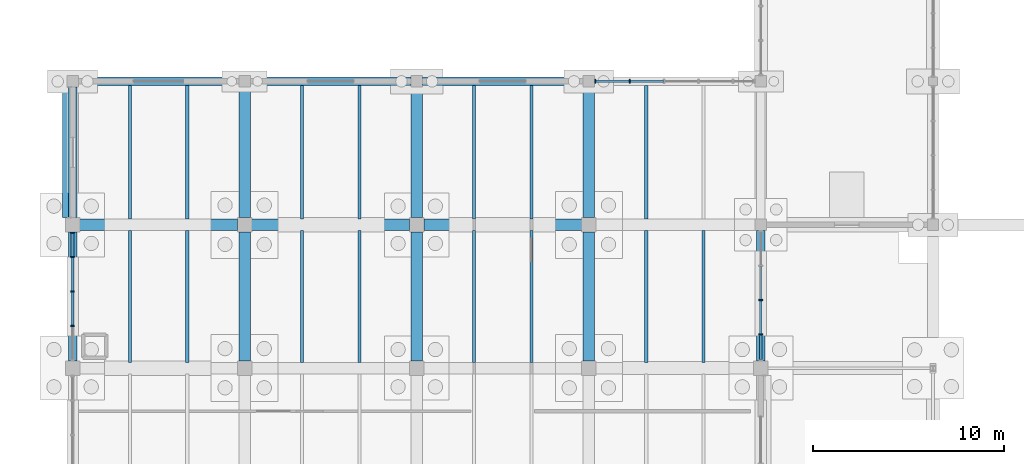
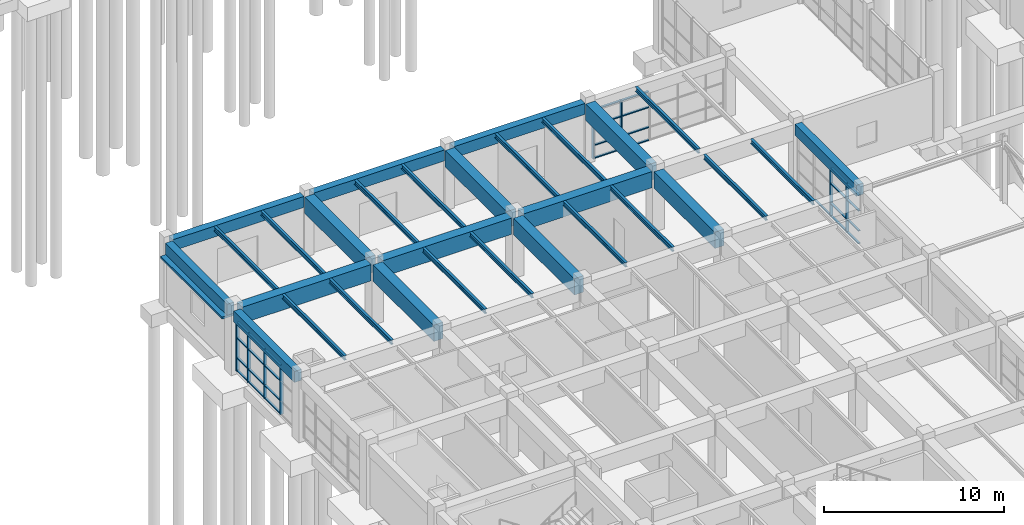
# One storey, part 19 of 93: 38 members, 30 beams, 3 elements without a shape of their own.
"""IFC4 building model written with IfcOpenShell, lengths in metres."""

from ifc_helpers import new_model, si_unit, direction, frame, origin, origin_2d, place, context, subcontext, project, spatial, rectangle, i_section, extrude, material, layer, layer_set, material_profile, profile_set, type_object, element, aggregate, save


model = new_model("IFC4")

# Units and contexts
model_context = context("Model", 3, precision=1e-05, world=origin(), true_north=direction((0.0, 1.0)))
body_context = subcontext(model_context, "Body", "Model", "MODEL_VIEW")
ifc_project = project(units=[si_unit("LENGTHUNIT", "METRE"), si_unit("AREAUNIT", "SQUARE_METRE"), si_unit("VOLUMEUNIT", "CUBIC_METRE"), si_unit("PLANEANGLEUNIT", "RADIAN"), si_unit("MASSUNIT", "GRAM", prefix="KILO")], contexts=[model_context])

# Site, building, storey
site_placement = place(None, origin())
site = spatial("IfcSite", under=ifc_project, at=site_placement, CompositionType="ELEMENT")
building_placement = place(site_placement, origin())
building = spatial("IfcBuilding", under=site, at=building_placement, Name="Marnridge Secondary College", CompositionType="ELEMENT")
storey_placement = place(building_placement, origin())
storey = spatial("IfcBuildingStorey", under=building, at=storey_placement, Name="L00", CompositionType="ELEMENT", Elevation=0.0)

# Beams
ifc_material_1 = material(Name="Concrete C40/50 (AS 3600 N40, 40 MPa)", Category="concrete")
ifc_material_profile_1 = material_profile(ifc_material_1, rectangle(XDim=0.449951171875, YDim=0.75, at=origin_2d()), Name="RC 450x750")
ifc_profile_set_1 = profile_set([ifc_material_profile_1], Name="Concrete C40/50 (AS 3600 N40, 40 MPa)")
beam_type_1 = type_object("IfcBeamType", Name="BM-RC4575-EXT", PredefinedType="SPANDREL", material=ifc_profile_set_1)
beam_1_placement = place(storey_placement, frame((0.0, 30.368896484375, 3.715087890625), z_axis=(0.0, 1.0, 0.0), x_axis=(-1.0, 0.0, 0.0)))
element("IfcBeam", 1, at=beam_1_placement, inside=storey, type_object=beam_type_1, Name="Beam BS-L00-0329", PredefinedType="SPANDREL", context=body_context, shape_type="SweptSolid", body=[
    extrude(rectangle(XDim=0.449951171875, YDim=0.75, at=origin_2d()), origin(), (0.0, 0.0, 1.0), 6.76220703125),
])
beam_2_placement = place(storey_placement, frame((0.2939453125, 45.0, 3.715087890625), z_axis=(1.0, 0.0, 0.0), x_axis=(0.0, 1.0, 0.0)))
element("IfcBeam", 2, at=beam_2_placement, inside=storey, type_object=beam_type_1, Name="Beam BS-L00-0331", PredefinedType="SPANDREL", context=body_context, shape_type="SweptSolid", body=[
    extrude(rectangle(XDim=0.449951171875, YDim=0.75, at=origin_2d()), origin(), (0.0, 0.0, 1.0), 8.412109375),
])
beam_3_placement = place(storey_placement, frame((0.0, 37.868896484375, 3.715087890625), z_axis=(0.0, 1.0, 0.0), x_axis=(-1.0, 0.0, 0.0)))
element("IfcBeam", 3, at=beam_3_placement, inside=storey, type_object=beam_type_1, Name="Beam BS-L00-0332", PredefinedType="SPANDREL", context=body_context, shape_type="SweptSolid", body=[
    extrude(rectangle(XDim=0.449951171875, YDim=0.75, at=origin_2d()), origin(), (0.0, 0.0, 1.0), 6.837158203125),
])
for number, where, z_axis, x_axis, name in (
    (4, (9.2939453125, 45.0, 3.715087890625), (1.0, 0.0, 0.0), (0.0, 1.0, 0.0), "Beam BS-L00-0345"),
    (5, (18.2939453125, 45.0, 3.715087890625), (1.0, 0.0, 0.0), (0.0, 1.0, 0.0), "Beam BS-L00-0358"),
):
    element("IfcBeam", number, at=place(storey_placement, frame(where, z_axis=z_axis, x_axis=x_axis)), inside=storey, type_object=beam_type_1, Name=name, PredefinedType="SPANDREL", context=body_context, shape_type="SweptSolid", body=[
        extrude(rectangle(XDim=0.449951171875, YDim=0.75, at=origin_2d()), origin(), (0.0, 0.0, 1.0), 8.412109375),
    ])
beam_4_placement = place(storey_placement, frame((36.0, 30.368896484375, 3.715087890625), z_axis=(0.0, 1.0, 0.0), x_axis=(-1.0, 0.0, 0.0)))
element("IfcBeam", 6, at=beam_4_placement, inside=storey, type_object=beam_type_1, Name="Beam BS-L00-0370", PredefinedType="SPANDREL", context=body_context, shape_type="SweptSolid", body=[
    extrude(rectangle(XDim=0.449951171875, YDim=0.75, at=origin_2d()), origin(), (0.0, 0.0, 1.0), 6.837158203125),
])
ifc_material_2 = material(Name="Concrete C40/50 (AS 3600 N40, 40 MPa)", Category="concrete")
ifc_material_profile_2 = material_profile(ifc_material_2, rectangle(XDim=0.60009765625, YDim=1.10009765625, at=origin_2d()), Name="RC 600x1100")
ifc_profile_set_2 = profile_set([ifc_material_profile_2], Name="Concrete C40/50 (AS 3600 N40, 40 MPa)")
beam_type_2 = type_object("IfcBeamType", Name="BM-RC6011-INT", PredefinedType="BEAM", material=ifc_profile_set_2)
beam_5_placement = place(storey_placement, frame((0.368896484375, 37.5, 3.5400390625), z_axis=(1.0, 0.0, 0.0), x_axis=(0.0, 1.0, 0.0)))
element("IfcBeam", 7, at=beam_5_placement, inside=storey, type_object=beam_type_2, Name="Beam B-L00-0328", PredefinedType="BEAM", context=body_context, shape_type="SweptSolid", body=[
    extrude(rectangle(XDim=0.60009765625, YDim=1.10009765625, at=origin_2d()), origin(), (0.0, 0.0, 1.0), 8.26220703125),
])
beam_6_placement = place(storey_placement, frame((9.0, 30.368896484375, 3.5400390625), z_axis=(0.0, 1.0, 0.0), x_axis=(-1.0, 0.0, 0.0)))
element("IfcBeam", 8, at=beam_6_placement, inside=storey, type_object=beam_type_2, Name="Beam B-L00-0330", PredefinedType="BEAM", context=body_context, shape_type="SweptSolid", body=[
    extrude(rectangle(XDim=0.60009765625, YDim=1.10009765625, at=origin_2d()), origin(), (0.0, 0.0, 1.0), 6.76220703125),
])
beam_7_placement = place(storey_placement, frame((9.0, 37.868896484375, 3.5400390625), z_axis=(0.0, 1.0, 0.0), x_axis=(-1.0, 0.0, 0.0)))
element("IfcBeam", 9, at=beam_7_placement, inside=storey, type_object=beam_type_2, Name="Beam B-L00-0333", PredefinedType="BEAM", context=body_context, shape_type="SweptSolid", body=[
    extrude(rectangle(XDim=0.60009765625, YDim=1.10009765625, at=origin_2d()), origin(), (0.0, 0.0, 1.0), 6.837158203125),
])
beam_8_placement = place(storey_placement, frame((9.368896484375, 37.5, 3.5400390625), z_axis=(1.0, 0.0, 0.0), x_axis=(0.0, 1.0, 0.0)))
element("IfcBeam", 10, at=beam_8_placement, inside=storey, type_object=beam_type_2, Name="Beam B-L00-0343", PredefinedType="BEAM", context=body_context, shape_type="SweptSolid", body=[
    extrude(rectangle(XDim=0.60009765625, YDim=1.10009765625, at=origin_2d()), origin(), (0.0, 0.0, 1.0), 8.26220703125),
])
beam_9_placement = place(storey_placement, frame((18.0, 30.368896484375, 3.5400390625), z_axis=(0.0, 1.0, 0.0), x_axis=(-1.0, 0.0, 0.0)))
element("IfcBeam", 11, at=beam_9_placement, inside=storey, type_object=beam_type_2, Name="Beam B-L00-0344", PredefinedType="BEAM", context=body_context, shape_type="SweptSolid", body=[
    extrude(rectangle(XDim=0.60009765625, YDim=1.10009765625, at=origin_2d()), origin(), (0.0, 0.0, 1.0), 6.76220703125),
])
beam_10_placement = place(storey_placement, frame((18.0, 37.868896484375, 3.5400390625), z_axis=(0.0, 1.0, 0.0), x_axis=(-1.0, 0.0, 0.0)))
element("IfcBeam", 12, at=beam_10_placement, inside=storey, type_object=beam_type_2, Name="Beam B-L00-0346", PredefinedType="BEAM", context=body_context, shape_type="SweptSolid", body=[
    extrude(rectangle(XDim=0.60009765625, YDim=1.10009765625, at=origin_2d()), origin(), (0.0, 0.0, 1.0), 6.837158203125),
])
beam_11_placement = place(storey_placement, frame((18.368896484375, 37.5, 3.5400390625), z_axis=(1.0, 0.0, 0.0), x_axis=(0.0, 1.0, 0.0)))
element("IfcBeam", 13, at=beam_11_placement, inside=storey, type_object=beam_type_2, Name="Beam B-L00-0356", PredefinedType="BEAM", context=body_context, shape_type="SweptSolid", body=[
    extrude(rectangle(XDim=0.60009765625, YDim=1.10009765625, at=origin_2d()), origin(), (0.0, 0.0, 1.0), 8.26220703125),
])
beam_12_placement = place(storey_placement, frame((27.0, 30.368896484375, 3.5400390625), z_axis=(0.0, 1.0, 0.0), x_axis=(-1.0, 0.0, 0.0)))
element("IfcBeam", 14, at=beam_12_placement, inside=storey, type_object=beam_type_2, Name="Beam B-L00-0357", PredefinedType="BEAM", context=body_context, shape_type="SweptSolid", body=[
    extrude(rectangle(XDim=0.60009765625, YDim=1.10009765625, at=origin_2d()), origin(), (0.0, 0.0, 1.0), 6.76220703125),
])
beam_13_placement = place(storey_placement, frame((27.0, 37.868896484375, 3.5400390625), z_axis=(0.0, 1.0, 0.0), x_axis=(-1.0, 0.0, 0.0)))
element("IfcBeam", 15, at=beam_13_placement, inside=storey, type_object=beam_type_2, Name="Beam B-L00-0359", PredefinedType="BEAM", context=body_context, shape_type="SweptSolid", body=[
    extrude(rectangle(XDim=0.60009765625, YDim=1.10009765625, at=origin_2d()), origin(), (0.0, 0.0, 1.0), 6.837158203125),
])
ifc_material_3 = material(Name="Structural steel Grade 350 (AS/NZS 3679.1/.2, fy = 340-360 MPa)", Category="steel")
ifc_material_profile_3 = material_profile(ifc_material_3, i_section(OverallWidth=0.166015625, OverallDepth=0.30712890625, WebThickness=0.006591796875, FlangeThickness=0.01171875, FilletRadius=0.011474609375, at=origin_2d()), Name="310UB46.2")
ifc_profile_set_3 = profile_set([ifc_material_profile_3], Name="Structural steel Grade 350 (AS/NZS 3679.1/.2, fy = 340-360 MPa)")
beam_type_3 = type_object("IfcBeamType", Name="BM-UB310A-INT", PredefinedType="BEAM", material=ifc_profile_set_3)
for number, where, z_axis, x_axis, name in (
    (16, (3.0, 30.2939453125, 3.936279296875), (0.0, 1.0, 0.0), (-1.0, 0.0, 0.0), "Beam BJ-L00-0379"),
    (17, (6.0, 30.2939453125, 3.936279296875), (0.0, 1.0, 0.0), (-1.0, 0.0, 0.0), "Beam BJ-L00-0380"),
):
    element("IfcBeam", number, at=place(storey_placement, frame(where, z_axis=z_axis, x_axis=x_axis)), inside=storey, type_object=beam_type_3, Name=name, PredefinedType="BEAM", context=body_context, shape_type="SweptSolid", body=[
        extrude(i_section(OverallWidth=0.166015625, OverallDepth=0.30712890625, WebThickness=0.006591796875, FlangeThickness=0.01171875, FilletRadius=0.011474609375, at=origin_2d()), origin(), (0.0, 0.0, 1.0), 6.912109375),
    ])
for number, where, z_axis, x_axis, name in (
    (18, (3.0, 37.7939453125, 3.936279296875), (0.0, 1.0, 0.0), (-1.0, 0.0, 0.0), "Beam BJ-L00-0381"),
    (19, (6.0, 37.7939453125, 3.936279296875), (0.0, 1.0, 0.0), (-1.0, 0.0, 0.0), "Beam BJ-L00-0382"),
):
    element("IfcBeam", number, at=place(storey_placement, frame(where, z_axis=z_axis, x_axis=x_axis)), inside=storey, type_object=beam_type_3, Name=name, PredefinedType="BEAM", context=body_context, shape_type="SweptSolid", body=[
        extrude(i_section(OverallWidth=0.166015625, OverallDepth=0.30712890625, WebThickness=0.006591796875, FlangeThickness=0.01171875, FilletRadius=0.011474609375, at=origin_2d()), origin(), (0.0, 0.0, 1.0), 6.987060546875),
    ])
for number, where, z_axis, x_axis, name in (
    (20, (12.0, 30.2939453125, 3.936279296875), (0.0, 1.0, 0.0), (-1.0, 0.0, 0.0), "Beam BJ-L00-0390"),
    (21, (15.0, 30.2939453125, 3.936279296875), (0.0, 1.0, 0.0), (-1.0, 0.0, 0.0), "Beam BJ-L00-0391"),
):
    element("IfcBeam", number, at=place(storey_placement, frame(where, z_axis=z_axis, x_axis=x_axis)), inside=storey, type_object=beam_type_3, Name=name, PredefinedType="BEAM", context=body_context, shape_type="SweptSolid", body=[
        extrude(i_section(OverallWidth=0.166015625, OverallDepth=0.30712890625, WebThickness=0.006591796875, FlangeThickness=0.01171875, FilletRadius=0.011474609375, at=origin_2d()), origin(), (0.0, 0.0, 1.0), 6.912109375),
    ])
for number, where, z_axis, x_axis, name in (
    (22, (12.0, 37.7939453125, 3.936279296875), (0.0, 1.0, 0.0), (-1.0, 0.0, 0.0), "Beam BJ-L00-0392"),
    (23, (15.0, 37.7939453125, 3.936279296875), (0.0, 1.0, 0.0), (-1.0, 0.0, 0.0), "Beam BJ-L00-0393"),
):
    element("IfcBeam", number, at=place(storey_placement, frame(where, z_axis=z_axis, x_axis=x_axis)), inside=storey, type_object=beam_type_3, Name=name, PredefinedType="BEAM", context=body_context, shape_type="SweptSolid", body=[
        extrude(i_section(OverallWidth=0.166015625, OverallDepth=0.30712890625, WebThickness=0.006591796875, FlangeThickness=0.01171875, FilletRadius=0.011474609375, at=origin_2d()), origin(), (0.0, 0.0, 1.0), 6.987060546875),
    ])
for number, where, z_axis, x_axis, name in (
    (24, (21.0, 30.2939453125, 3.936279296875), (0.0, 1.0, 0.0), (-1.0, 0.0, 0.0), "Beam BJ-L00-0400"),
    (25, (24.0, 30.2939453125, 3.936279296875), (0.0, 1.0, 0.0), (-1.0, 0.0, 0.0), "Beam BJ-L00-0401"),
):
    element("IfcBeam", number, at=place(storey_placement, frame(where, z_axis=z_axis, x_axis=x_axis)), inside=storey, type_object=beam_type_3, Name=name, PredefinedType="BEAM", context=body_context, shape_type="SweptSolid", body=[
        extrude(i_section(OverallWidth=0.166015625, OverallDepth=0.30712890625, WebThickness=0.006591796875, FlangeThickness=0.01171875, FilletRadius=0.011474609375, at=origin_2d()), origin(), (0.0, 0.0, 1.0), 6.912109375),
    ])
for number, where, z_axis, x_axis, name in (
    (26, (21.0, 37.7939453125, 3.936279296875), (0.0, 1.0, 0.0), (-1.0, 0.0, 0.0), "Beam BJ-L00-0402"),
    (27, (24.0, 37.7939453125, 3.936279296875), (0.0, 1.0, 0.0), (-1.0, 0.0, 0.0), "Beam BJ-L00-0403"),
):
    element("IfcBeam", number, at=place(storey_placement, frame(where, z_axis=z_axis, x_axis=x_axis)), inside=storey, type_object=beam_type_3, Name=name, PredefinedType="BEAM", context=body_context, shape_type="SweptSolid", body=[
        extrude(i_section(OverallWidth=0.166015625, OverallDepth=0.30712890625, WebThickness=0.006591796875, FlangeThickness=0.01171875, FilletRadius=0.011474609375, at=origin_2d()), origin(), (0.0, 0.0, 1.0), 6.987060546875),
    ])
for number, where, z_axis, x_axis, name in (
    (28, (30.0, 30.2939453125, 3.936279296875), (0.0, 1.0, 0.0), (-1.0, 0.0, 0.0), "Beam BJ-L00-0412"),
    (29, (33.0, 30.2939453125, 3.936279296875), (0.0, 1.0, 0.0), (-1.0, 0.0, 0.0), "Beam BJ-L00-0413"),
):
    element("IfcBeam", number, at=place(storey_placement, frame(where, z_axis=z_axis, x_axis=x_axis)), inside=storey, type_object=beam_type_3, Name=name, PredefinedType="BEAM", context=body_context, shape_type="SweptSolid", body=[
        extrude(i_section(OverallWidth=0.166015625, OverallDepth=0.30712890625, WebThickness=0.006591796875, FlangeThickness=0.01171875, FilletRadius=0.011474609375, at=origin_2d()), origin(), (0.0, 0.0, 1.0), 6.912109375),
    ])
beam_14_placement = place(storey_placement, frame((30.0, 37.7939453125, 3.936279296875), z_axis=(0.0, 1.0, 0.0), x_axis=(-1.0, 0.0, 0.0)))
element("IfcBeam", 30, at=beam_14_placement, inside=storey, type_object=beam_type_3, Name="Beam BJ-L00-0414", PredefinedType="BEAM", context=body_context, shape_type="SweptSolid", body=[
    extrude(i_section(OverallWidth=0.166015625, OverallDepth=0.30712890625, WebThickness=0.006591796875, FlangeThickness=0.01171875, FilletRadius=0.011474609375, at=origin_2d()), origin(), (0.0, 0.0, 1.0), 6.987060546875),
])

# Curtain wall, members
ifc_material_4 = material(Name="Bronze-anodised aluminium and solar-control glazing", Category="aluminium")
ifc_layer = layer(ifc_material_4, 0.199951171875)
ifc_layer_set = layer_set([ifc_layer], Name="CW-MOD-1800")
curtain_wall_type = type_object("IfcCurtainWallType", Name="CW-MOD-1800", PredefinedType="NOTDEFINED", material=ifc_layer_set)
curtain_wall_1_placement = place(storey_placement, origin())
curtain_wall_1 = element("IfcCurtainWall", 31, at=curtain_wall_1_placement, inside=storey, type_object=curtain_wall_type, Name="Unitised curtain wall CW-L00-019", PredefinedType="NOTDEFINED")
ifc_material_5 = material(Name="Bronze-anodised aluminium 6063-T6", Category="aluminium")
ifc_material_profile_4 = material_profile(ifc_material_5, rectangle(XDim=0.070068359375, YDim=0.199951171875, at=origin_2d()), Name="ALU 70x200")
ifc_profile_set_4 = profile_set([ifc_material_profile_4], Name="Bronze-anodised aluminium 6063-T6")
member_type_1 = type_object("IfcMemberType", Name="CWM-ALU200", PredefinedType="MULLION", material=ifc_profile_set_4)
member_1_placement = place(storey_placement, frame((27.339111328125, 45.0, 0.0), z_axis=(0.0, 0.0, 1.0), x_axis=(1.0, 0.0, 0.0)))
member_1 = element("IfcMember", 32, at=member_1_placement, type_object=member_type_1, Name="CW-L00-019 mullion 1", PredefinedType="MULLION", context=body_context, shape_type="SweptSolid", body=[
    extrude(rectangle(XDim=0.070068359375, YDim=0.199951171875, at=origin_2d()), origin(), (0.0, 0.0, 1.0), 3.33203125),
])
member_2_placement = place(storey_placement, frame((29.138916015625, 45.0, 0.0), z_axis=(0.0, 0.0, 1.0), x_axis=(1.0, 0.0, 0.0)))
member_2 = element("IfcMember", 33, at=member_2_placement, type_object=member_type_1, Name="CW-L00-019 mullion 2", PredefinedType="MULLION", context=body_context, shape_type="SweptSolid", body=[
    extrude(rectangle(XDim=0.070068359375, YDim=0.199951171875, at=origin_2d()), origin(), (0.0, 0.0, 1.0), 3.33203125),
])

curtain_wall_2_placement = place(storey_placement, origin())
curtain_wall_2 = element("IfcCurtainWall", 34, at=curtain_wall_2_placement, inside=storey, type_object=curtain_wall_type, Name="Unitised curtain wall CW-L00-023", PredefinedType="NOTDEFINED")
member_3_placement = place(storey_placement, frame((36.0, 33.56103515625, 0.0), z_axis=(0.0, 0.0, 1.0), x_axis=(0.0, -1.0, 0.0)))
member_3 = element("IfcMember", 35, at=member_3_placement, type_object=member_type_1, Name="CW-L00-023 mullion 3", PredefinedType="MULLION", context=body_context, shape_type="SweptSolid", body=[
    extrude(rectangle(XDim=0.070068359375, YDim=0.199951171875, at=origin_2d()), origin(), (0.0, 0.0, 1.0), 3.33203125),
])
member_4_placement = place(storey_placement, frame((36.0, 31.760986328125, 0.0), z_axis=(0.0, 0.0, 1.0), x_axis=(0.0, -1.0, 0.0)))
member_4 = element("IfcMember", 36, at=member_4_placement, type_object=member_type_1, Name="CW-L00-023 mullion 4", PredefinedType="MULLION", context=body_context, shape_type="SweptSolid", body=[
    extrude(rectangle(XDim=0.070068359375, YDim=0.199951171875, at=origin_2d()), origin(), (0.0, 0.0, 1.0), 3.33203125),
])

curtain_wall_3_placement = place(storey_placement, origin())
curtain_wall_3 = element("IfcCurtainWall", 37, at=curtain_wall_3_placement, inside=storey, type_object=curtain_wall_type, Name="Unitised curtain wall CW-L00-027", PredefinedType="NOTDEFINED")
member_5_placement = place(storey_placement, frame((0.0, 32.214111328125, 0.0), z_axis=(0.0, 0.0, 1.0), x_axis=(0.0, 1.0, 0.0)))
member_5 = element("IfcMember", 38, at=member_5_placement, type_object=member_type_1, Name="CW-L00-027 mullion 2", PredefinedType="MULLION", context=body_context, shape_type="SweptSolid", body=[
    extrude(rectangle(XDim=0.070068359375, YDim=0.199951171875, at=origin_2d()), origin(), (0.0, 0.0, 1.0), 3.33203125),
])
member_6_placement = place(storey_placement, frame((0.0, 34.013916015625, 0.0), z_axis=(0.0, 0.0, 1.0), x_axis=(0.0, 1.0, 0.0)))
member_6 = element("IfcMember", 39, at=member_6_placement, type_object=member_type_1, Name="CW-L00-027 mullion 3", PredefinedType="MULLION", context=body_context, shape_type="SweptSolid", body=[
    extrude(rectangle(XDim=0.070068359375, YDim=0.199951171875, at=origin_2d()), origin(), (0.0, 0.0, 1.0), 3.33203125),
])
member_7_placement = place(storey_placement, frame((0.0, 35.81396484375, 0.0), z_axis=(0.0, 0.0, 1.0), x_axis=(0.0, 1.0, 0.0)))
member_7 = element("IfcMember", 40, at=member_7_placement, type_object=member_type_1, Name="CW-L00-027 mullion 4", PredefinedType="MULLION", context=body_context, shape_type="SweptSolid", body=[
    extrude(rectangle(XDim=0.070068359375, YDim=0.199951171875, at=origin_2d()), origin(), (0.0, 0.0, 1.0), 3.33203125),
])
member_8_placement = place(storey_placement, frame((0.0, 37.0859375, 0.0), z_axis=(0.0, 0.0, 1.0), x_axis=(0.0, 1.0, 0.0)))
member_8 = element("IfcMember", 41, at=member_8_placement, type_object=member_type_1, Name="CW-L00-027 mullion 5", PredefinedType="MULLION", context=body_context, shape_type="SweptSolid", body=[
    extrude(rectangle(XDim=0.070068359375, YDim=0.199951171875, at=origin_2d()), origin(), (0.0, 0.0, 1.0), 3.33203125),
])

# Member
ifc_material_6 = material(Name="Anodised aluminium 6063-T6", Category="aluminium")
ifc_material_profile_5 = material_profile(ifc_material_6, rectangle(XDim=0.06494140625, YDim=0.139892578125, at=origin_2d()), Name="ALU 65x140")
ifc_profile_set_5 = profile_set([ifc_material_profile_5], Name="Anodised aluminium 6063-T6")
member_type_2 = type_object("IfcMemberType", Name="CWT-ALU140", PredefinedType="USERDEFINED", material=ifc_profile_set_5)
member_9_placement = place(storey_placement, frame((27.3740234375, 45.0, 0.032470703125), z_axis=(1.0, 0.0, 0.0), x_axis=(0.0, 0.0, 1.0)))
member_9 = element("IfcMember", 42, at=member_9_placement, type_object=member_type_2, Name="CW-L00-019 transom 1.1", ObjectType="TRANSOM", PredefinedType="USERDEFINED", context=body_context, shape_type="SweptSolid", body=[
    extrude(rectangle(XDim=0.06494140625, YDim=0.139892578125, at=origin_2d()), origin(), (0.0, 0.0, 1.0), 1.72998046875),
])

member_10_placement = place(storey_placement, frame((27.3740234375, 45.0, 0.89990234375), z_axis=(1.0, 0.0, 0.0), x_axis=(0.0, 0.0, 1.0)))
member_10 = element("IfcMember", 43, at=member_10_placement, type_object=member_type_2, Name="CW-L00-019 transom 1.2", ObjectType="TRANSOM", PredefinedType="USERDEFINED", context=body_context, shape_type="SweptSolid", body=[
    extrude(rectangle(XDim=0.06494140625, YDim=0.139892578125, at=origin_2d()), origin(), (0.0, 0.0, 1.0), 1.72998046875),
])

member_11_placement = place(storey_placement, frame((27.3740234375, 45.0, 2.25), z_axis=(1.0, 0.0, 0.0), x_axis=(0.0, 0.0, 1.0)))
member_11 = element("IfcMember", 44, at=member_11_placement, type_object=member_type_2, Name="CW-L00-019 transom 1.3", ObjectType="TRANSOM", PredefinedType="USERDEFINED", context=body_context, shape_type="SweptSolid", body=[
    extrude(rectangle(XDim=0.06494140625, YDim=0.139892578125, at=origin_2d()), origin(), (0.0, 0.0, 1.0), 1.72998046875),
])

member_12_placement = place(storey_placement, frame((27.3740234375, 45.0, 3.299560546875), z_axis=(1.0, 0.0, 0.0), x_axis=(0.0, 0.0, 1.0)))
member_12 = element("IfcMember", 45, at=member_12_placement, type_object=member_type_2, Name="CW-L00-019 transom 1.4", ObjectType="TRANSOM", PredefinedType="USERDEFINED", context=body_context, shape_type="SweptSolid", body=[
    extrude(rectangle(XDim=0.06494140625, YDim=0.139892578125, at=origin_2d()), origin(), (0.0, 0.0, 1.0), 1.72998046875),
])

member_13_placement = place(storey_placement, frame((29.174072265625, 45.0, 0.032470703125), z_axis=(1.0, 0.0, 0.0), x_axis=(0.0, 0.0, 1.0)))
member_13 = element("IfcMember", 46, at=member_13_placement, type_object=member_type_2, Name="CW-L00-019 transom 2.1", ObjectType="TRANSOM", PredefinedType="USERDEFINED", context=body_context, shape_type="SweptSolid", body=[
    extrude(rectangle(XDim=0.06494140625, YDim=0.139892578125, at=origin_2d()), origin(), (0.0, 0.0, 1.0), 1.72998046875),
])

member_14_placement = place(storey_placement, frame((29.174072265625, 45.0, 0.89990234375), z_axis=(1.0, 0.0, 0.0), x_axis=(0.0, 0.0, 1.0)))
member_14 = element("IfcMember", 47, at=member_14_placement, type_object=member_type_2, Name="CW-L00-019 transom 2.2", ObjectType="TRANSOM", PredefinedType="USERDEFINED", context=body_context, shape_type="SweptSolid", body=[
    extrude(rectangle(XDim=0.06494140625, YDim=0.139892578125, at=origin_2d()), origin(), (0.0, 0.0, 1.0), 1.72998046875),
])

member_15_placement = place(storey_placement, frame((29.174072265625, 45.0, 2.25), z_axis=(1.0, 0.0, 0.0), x_axis=(0.0, 0.0, 1.0)))
member_15 = element("IfcMember", 48, at=member_15_placement, type_object=member_type_2, Name="CW-L00-019 transom 2.3", ObjectType="TRANSOM", PredefinedType="USERDEFINED", context=body_context, shape_type="SweptSolid", body=[
    extrude(rectangle(XDim=0.06494140625, YDim=0.139892578125, at=origin_2d()), origin(), (0.0, 0.0, 1.0), 1.72998046875),
])

member_16_placement = place(storey_placement, frame((29.174072265625, 45.0, 3.299560546875), z_axis=(1.0, 0.0, 0.0), x_axis=(0.0, 0.0, 1.0)))
member_16 = element("IfcMember", 49, at=member_16_placement, type_object=member_type_2, Name="CW-L00-019 transom 2.4", ObjectType="TRANSOM", PredefinedType="USERDEFINED", context=body_context, shape_type="SweptSolid", body=[
    extrude(rectangle(XDim=0.06494140625, YDim=0.139892578125, at=origin_2d()), origin(), (0.0, 0.0, 1.0), 1.72998046875),
])

aggregate(curtain_wall_1, [member_1, member_2, member_9, member_10, member_11, member_12, member_13, member_14, member_15, member_16])

member_17_placement = place(storey_placement, frame((36.0, 35.325927734375, 0.032470703125), z_axis=(0.0, -1.0, 0.0), x_axis=(0.0, 0.0, 1.0)))
member_17 = element("IfcMember", 50, at=member_17_placement, type_object=member_type_2, Name="CW-L00-023 transom 2.1", ObjectType="TRANSOM", PredefinedType="USERDEFINED", context=body_context, shape_type="SweptSolid", body=[
    extrude(rectangle(XDim=0.06494140625, YDim=0.139892578125, at=origin_2d()), origin(), (0.0, 0.0, 1.0), 1.72998046875),
])

member_18_placement = place(storey_placement, frame((36.0, 33.52587890625, 0.032470703125), z_axis=(0.0, -1.0, 0.0), x_axis=(0.0, 0.0, 1.0)))
member_18 = element("IfcMember", 51, at=member_18_placement, type_object=member_type_2, Name="CW-L00-023 transom 3.1", ObjectType="TRANSOM", PredefinedType="USERDEFINED", context=body_context, shape_type="SweptSolid", body=[
    extrude(rectangle(XDim=0.06494140625, YDim=0.139892578125, at=origin_2d()), origin(), (0.0, 0.0, 1.0), 1.72998046875),
])

member_19_placement = place(storey_placement, frame((36.0, 33.52587890625, 0.89990234375), z_axis=(0.0, -1.0, 0.0), x_axis=(0.0, 0.0, 1.0)))
member_19 = element("IfcMember", 52, at=member_19_placement, type_object=member_type_2, Name="CW-L00-023 transom 3.2", ObjectType="TRANSOM", PredefinedType="USERDEFINED", context=body_context, shape_type="SweptSolid", body=[
    extrude(rectangle(XDim=0.06494140625, YDim=0.139892578125, at=origin_2d()), origin(), (0.0, 0.0, 1.0), 1.72998046875),
])

member_20_placement = place(storey_placement, frame((36.0, 33.52587890625, 2.25), z_axis=(0.0, -1.0, 0.0), x_axis=(0.0, 0.0, 1.0)))
member_20 = element("IfcMember", 53, at=member_20_placement, type_object=member_type_2, Name="CW-L00-023 transom 3.3", ObjectType="TRANSOM", PredefinedType="USERDEFINED", context=body_context, shape_type="SweptSolid", body=[
    extrude(rectangle(XDim=0.06494140625, YDim=0.139892578125, at=origin_2d()), origin(), (0.0, 0.0, 1.0), 1.72998046875),
])

member_21_placement = place(storey_placement, frame((36.0, 33.52587890625, 3.299560546875), z_axis=(0.0, -1.0, 0.0), x_axis=(0.0, 0.0, 1.0)))
member_21 = element("IfcMember", 54, at=member_21_placement, type_object=member_type_2, Name="CW-L00-023 transom 3.4", ObjectType="TRANSOM", PredefinedType="USERDEFINED", context=body_context, shape_type="SweptSolid", body=[
    extrude(rectangle(XDim=0.06494140625, YDim=0.139892578125, at=origin_2d()), origin(), (0.0, 0.0, 1.0), 1.72998046875),
])

member_22_placement = place(storey_placement, frame((36.0, 31.72607421875, 0.032470703125), z_axis=(0.0, -1.0, 0.0), x_axis=(0.0, 0.0, 1.0)))
member_22 = element("IfcMember", 55, at=member_22_placement, type_object=member_type_2, Name="CW-L00-023 transom 4.1", ObjectType="TRANSOM", PredefinedType="USERDEFINED", context=body_context, shape_type="SweptSolid", body=[
    extrude(rectangle(XDim=0.06494140625, YDim=0.139892578125, at=origin_2d()), origin(), (0.0, 0.0, 1.0), 1.277099609375),
])

member_23_placement = place(storey_placement, frame((36.0, 31.72607421875, 0.89990234375), z_axis=(0.0, -1.0, 0.0), x_axis=(0.0, 0.0, 1.0)))
member_23 = element("IfcMember", 56, at=member_23_placement, type_object=member_type_2, Name="CW-L00-023 transom 4.2", ObjectType="TRANSOM", PredefinedType="USERDEFINED", context=body_context, shape_type="SweptSolid", body=[
    extrude(rectangle(XDim=0.06494140625, YDim=0.139892578125, at=origin_2d()), origin(), (0.0, 0.0, 1.0), 1.277099609375),
])

member_24_placement = place(storey_placement, frame((36.0, 31.72607421875, 2.25), z_axis=(0.0, -1.0, 0.0), x_axis=(0.0, 0.0, 1.0)))
member_24 = element("IfcMember", 57, at=member_24_placement, type_object=member_type_2, Name="CW-L00-023 transom 4.3", ObjectType="TRANSOM", PredefinedType="USERDEFINED", context=body_context, shape_type="SweptSolid", body=[
    extrude(rectangle(XDim=0.06494140625, YDim=0.139892578125, at=origin_2d()), origin(), (0.0, 0.0, 1.0), 1.277099609375),
])

member_25_placement = place(storey_placement, frame((36.0, 31.72607421875, 3.299560546875), z_axis=(0.0, -1.0, 0.0), x_axis=(0.0, 0.0, 1.0)))
member_25 = element("IfcMember", 58, at=member_25_placement, type_object=member_type_2, Name="CW-L00-023 transom 4.4", ObjectType="TRANSOM", PredefinedType="USERDEFINED", context=body_context, shape_type="SweptSolid", body=[
    extrude(rectangle(XDim=0.06494140625, YDim=0.139892578125, at=origin_2d()), origin(), (0.0, 0.0, 1.0), 1.277099609375),
])

aggregate(curtain_wall_2, [member_3, member_4, member_17, member_18, member_19, member_20, member_21, member_22, member_23, member_24, member_25])

member_26_placement = place(storey_placement, frame((0.0, 32.2490234375, 0.032470703125), z_axis=(0.0, 1.0, 0.0), x_axis=(0.0, 0.0, 1.0)))
member_26 = element("IfcMember", 59, at=member_26_placement, type_object=member_type_2, Name="CW-L00-027 transom 2.1", ObjectType="TRANSOM", PredefinedType="USERDEFINED", context=body_context, shape_type="SweptSolid", body=[
    extrude(rectangle(XDim=0.06494140625, YDim=0.139892578125, at=origin_2d()), origin(), (0.0, 0.0, 1.0), 1.72998046875),
])

member_27_placement = place(storey_placement, frame((0.0, 32.2490234375, 0.89990234375), z_axis=(0.0, 1.0, 0.0), x_axis=(0.0, 0.0, 1.0)))
member_27 = element("IfcMember", 60, at=member_27_placement, type_object=member_type_2, Name="CW-L00-027 transom 2.2", ObjectType="TRANSOM", PredefinedType="USERDEFINED", context=body_context, shape_type="SweptSolid", body=[
    extrude(rectangle(XDim=0.06494140625, YDim=0.139892578125, at=origin_2d()), origin(), (0.0, 0.0, 1.0), 1.72998046875),
])

member_28_placement = place(storey_placement, frame((0.0, 32.2490234375, 2.25), z_axis=(0.0, 1.0, 0.0), x_axis=(0.0, 0.0, 1.0)))
member_28 = element("IfcMember", 61, at=member_28_placement, type_object=member_type_2, Name="CW-L00-027 transom 2.3", ObjectType="TRANSOM", PredefinedType="USERDEFINED", context=body_context, shape_type="SweptSolid", body=[
    extrude(rectangle(XDim=0.06494140625, YDim=0.139892578125, at=origin_2d()), origin(), (0.0, 0.0, 1.0), 1.72998046875),
])

member_29_placement = place(storey_placement, frame((0.0, 32.2490234375, 3.299560546875), z_axis=(0.0, 1.0, 0.0), x_axis=(0.0, 0.0, 1.0)))
member_29 = element("IfcMember", 62, at=member_29_placement, type_object=member_type_2, Name="CW-L00-027 transom 2.4", ObjectType="TRANSOM", PredefinedType="USERDEFINED", context=body_context, shape_type="SweptSolid", body=[
    extrude(rectangle(XDim=0.06494140625, YDim=0.139892578125, at=origin_2d()), origin(), (0.0, 0.0, 1.0), 1.72998046875),
])

member_30_placement = place(storey_placement, frame((0.0, 34.049072265625, 0.032470703125), z_axis=(0.0, 1.0, 0.0), x_axis=(0.0, 0.0, 1.0)))
member_30 = element("IfcMember", 63, at=member_30_placement, type_object=member_type_2, Name="CW-L00-027 transom 3.1", ObjectType="TRANSOM", PredefinedType="USERDEFINED", context=body_context, shape_type="SweptSolid", body=[
    extrude(rectangle(XDim=0.06494140625, YDim=0.139892578125, at=origin_2d()), origin(), (0.0, 0.0, 1.0), 1.72998046875),
])

member_31_placement = place(storey_placement, frame((0.0, 34.049072265625, 0.89990234375), z_axis=(0.0, 1.0, 0.0), x_axis=(0.0, 0.0, 1.0)))
member_31 = element("IfcMember", 64, at=member_31_placement, type_object=member_type_2, Name="CW-L00-027 transom 3.2", ObjectType="TRANSOM", PredefinedType="USERDEFINED", context=body_context, shape_type="SweptSolid", body=[
    extrude(rectangle(XDim=0.06494140625, YDim=0.139892578125, at=origin_2d()), origin(), (0.0, 0.0, 1.0), 1.72998046875),
])

member_32_placement = place(storey_placement, frame((0.0, 34.049072265625, 2.25), z_axis=(0.0, 1.0, 0.0), x_axis=(0.0, 0.0, 1.0)))
member_32 = element("IfcMember", 65, at=member_32_placement, type_object=member_type_2, Name="CW-L00-027 transom 3.3", ObjectType="TRANSOM", PredefinedType="USERDEFINED", context=body_context, shape_type="SweptSolid", body=[
    extrude(rectangle(XDim=0.06494140625, YDim=0.139892578125, at=origin_2d()), origin(), (0.0, 0.0, 1.0), 1.72998046875),
])

member_33_placement = place(storey_placement, frame((0.0, 34.049072265625, 3.299560546875), z_axis=(0.0, 1.0, 0.0), x_axis=(0.0, 0.0, 1.0)))
member_33 = element("IfcMember", 66, at=member_33_placement, type_object=member_type_2, Name="CW-L00-027 transom 3.4", ObjectType="TRANSOM", PredefinedType="USERDEFINED", context=body_context, shape_type="SweptSolid", body=[
    extrude(rectangle(XDim=0.06494140625, YDim=0.139892578125, at=origin_2d()), origin(), (0.0, 0.0, 1.0), 1.72998046875),
])

member_34_placement = place(storey_placement, frame((0.0, 35.84912109375, 0.032470703125), z_axis=(0.0, 1.0, 0.0), x_axis=(0.0, 0.0, 1.0)))
member_34 = element("IfcMember", 67, at=member_34_placement, type_object=member_type_2, Name="CW-L00-027 transom 4.1", ObjectType="TRANSOM", PredefinedType="USERDEFINED", context=body_context, shape_type="SweptSolid", body=[
    extrude(rectangle(XDim=0.06494140625, YDim=0.139892578125, at=origin_2d()), origin(), (0.0, 0.0, 1.0), 1.201904296875),
])

member_35_placement = place(storey_placement, frame((0.0, 35.84912109375, 0.89990234375), z_axis=(0.0, 1.0, 0.0), x_axis=(0.0, 0.0, 1.0)))
member_35 = element("IfcMember", 68, at=member_35_placement, type_object=member_type_2, Name="CW-L00-027 transom 4.2", ObjectType="TRANSOM", PredefinedType="USERDEFINED", context=body_context, shape_type="SweptSolid", body=[
    extrude(rectangle(XDim=0.06494140625, YDim=0.139892578125, at=origin_2d()), origin(), (0.0, 0.0, 1.0), 1.201904296875),
])

member_36_placement = place(storey_placement, frame((0.0, 35.84912109375, 2.25), z_axis=(0.0, 1.0, 0.0), x_axis=(0.0, 0.0, 1.0)))
member_36 = element("IfcMember", 69, at=member_36_placement, type_object=member_type_2, Name="CW-L00-027 transom 4.3", ObjectType="TRANSOM", PredefinedType="USERDEFINED", context=body_context, shape_type="SweptSolid", body=[
    extrude(rectangle(XDim=0.06494140625, YDim=0.139892578125, at=origin_2d()), origin(), (0.0, 0.0, 1.0), 1.201904296875),
])

member_37_placement = place(storey_placement, frame((0.0, 35.84912109375, 3.299560546875), z_axis=(0.0, 1.0, 0.0), x_axis=(0.0, 0.0, 1.0)))
member_37 = element("IfcMember", 70, at=member_37_placement, type_object=member_type_2, Name="CW-L00-027 transom 4.4", ObjectType="TRANSOM", PredefinedType="USERDEFINED", context=body_context, shape_type="SweptSolid", body=[
    extrude(rectangle(XDim=0.06494140625, YDim=0.139892578125, at=origin_2d()), origin(), (0.0, 0.0, 1.0), 1.201904296875),
])

aggregate(curtain_wall_3, [member_5, member_6, member_7, member_8, member_26, member_27, member_28, member_29, member_30, member_31, member_32, member_33, member_34, member_35, member_36, member_37])

ifc_material_7 = material(Name="Precast concrete C40/50 (AS 3600 N40, 40 MPa)", Category="concrete")
ifc_material_profile_6 = material_profile(ifc_material_7, rectangle(XDim=0.139892578125, YDim=0.75, at=origin_2d()), Name="FIN PC 140x750")
ifc_profile_set_6 = profile_set([ifc_material_profile_6], Name="Precast concrete C40/50 (AS 3600 N40, 40 MPa)")
member_type_3 = type_object("IfcMemberType", Name="MB-FIN-PC750", PredefinedType="USERDEFINED", material=ifc_profile_set_6)
member_38_placement = place(storey_placement, frame((-0.159912109375, 37.875, 3.251953125), z_axis=(0.0, 1.0, 0.0), x_axis=(0.0, 0.0, 1.0)))
element("IfcMember", 71, at=member_38_placement, inside=storey, type_object=member_type_3, Name="Solar shading fin SFN-0023", ObjectType="SOLAR FIN", PredefinedType="USERDEFINED", context=body_context, shape_type="SweptSolid", body=[
    extrude(rectangle(XDim=0.139892578125, YDim=0.75, at=origin_2d()), origin(), (0.0, 0.0, 1.0), 6.824951171875),
])

save(model, "model.ifc")
